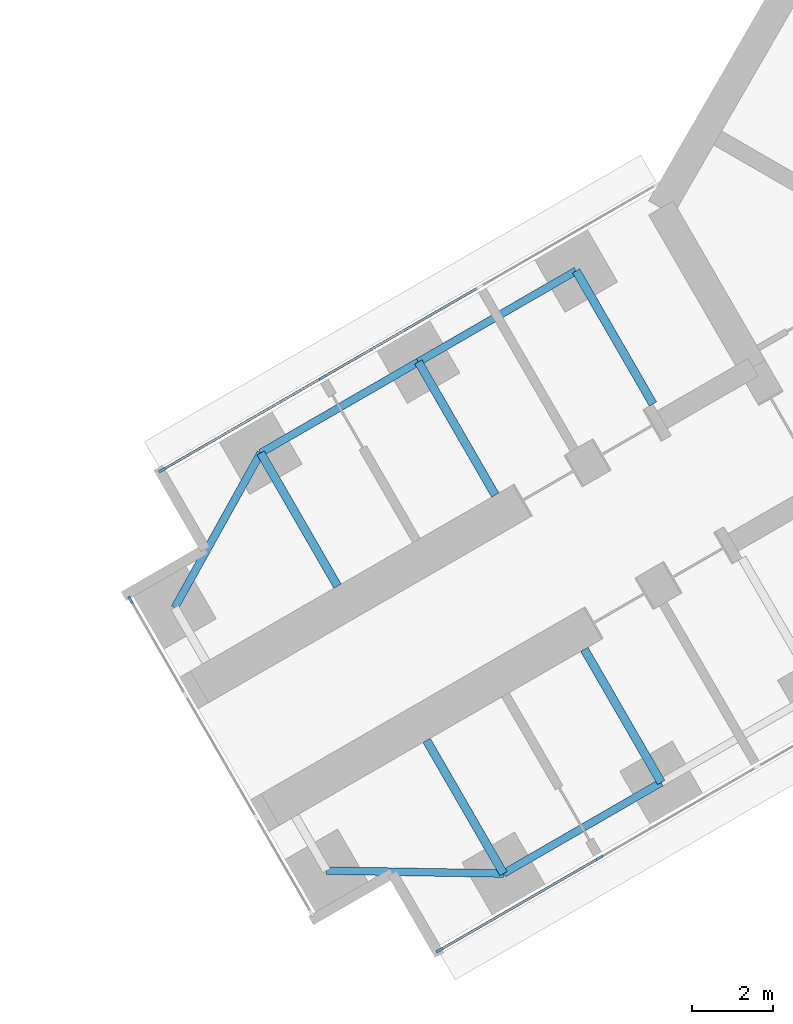
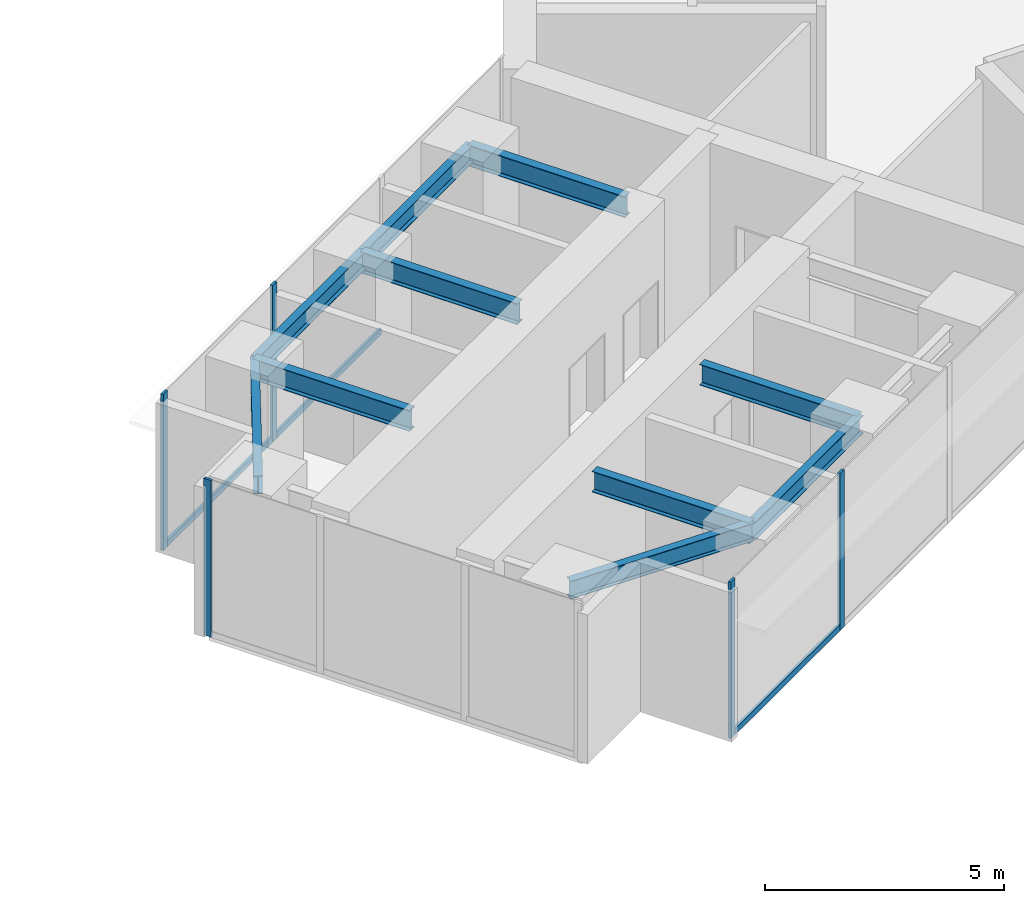
# One storey, part 4 of 22: 10 beams, 8 members, 3 elements without a shape of their own.
"""IFC4 building model written with IfcOpenShell, lengths in metres."""

from ifc_helpers import new_model, si_unit, direction, frame, origin, origin_2d, place, context, subcontext, project, spatial, rectangle, i_section, extrude, material, material_profile, profile_set, type_object, element, aggregate, save


model = new_model("IFC4")

# Units and contexts
model_context = context("Model", 3, precision=1e-05, world=origin(), true_north=direction((0.0, 1.0)))
body_context = subcontext(model_context, "Body", "Model", "MODEL_VIEW")
ifc_project = project(units=[si_unit("LENGTHUNIT", "METRE"), si_unit("AREAUNIT", "SQUARE_METRE"), si_unit("VOLUMEUNIT", "CUBIC_METRE"), si_unit("PLANEANGLEUNIT", "RADIAN"), si_unit("MASSUNIT", "GRAM", prefix="KILO")], contexts=[model_context])

# Site, building, storey
site_placement = place(None, origin())
site = spatial("IfcSite", under=ifc_project, at=site_placement, CompositionType="ELEMENT")
building_placement = place(site_placement, origin())
building = spatial("IfcBuilding", under=site, at=building_placement, Name="Upepo Twin Towers", CompositionType="ELEMENT")
storey_placement = place(building_placement, frame((0.0, 0.0, 44.5)))
storey = spatial("IfcBuildingStorey", under=building, at=storey_placement, Name="L10", CompositionType="ELEMENT", Elevation=44.5)

# Beams
ifc_material_1 = material(Name="Steel S355", Category="steel")
ifc_material_profile_1 = material_profile(ifc_material_1, i_section(OverallWidth=0.1904296875, OverallDepth=0.45703125, WebThickness=0.009033203125, FlangeThickness=0.014404296875, FilletRadius=0.01025390625, at=origin_2d()), Name="UB 457x191x74")
ifc_profile_set_1 = profile_set([ifc_material_profile_1], Name="Steel S355")
beam_type_1 = type_object("IfcBeamType", Name="Beam UB 457x191x74", PredefinedType="BEAM", material=ifc_profile_set_1)
beam_1_placement = place(storey_placement, frame((45.91162109375, -32.196044921875, 3.571533203125), z_axis=(-0.866031096941, -0.499990139034, 0.0), x_axis=(0.499990139034, -0.866031096941, 0.0)))
element("IfcBeam", 1, at=beam_1_placement, inside=storey, type_object=beam_type_1, Name="T2 edge beam BL 18.0-22.5", PredefinedType="BEAM", context=body_context, shape_type="SweptSolid", body=[
    extrude(i_section(OverallWidth=0.1904296875, OverallDepth=0.45703125, WebThickness=0.009033203125, FlangeThickness=0.014404296875, FilletRadius=0.01025390625, at=origin_2d()), origin(), (0.0, 0.0, 1.0), 4.5),
])
beam_2_placement = place(storey_placement, frame((42.014404296875, -34.446044921875, 3.571533203125), z_axis=(-0.999858804832, 0.016803880528, 0.0), x_axis=(-0.016803880528, -0.999858804832, 0.0)))
element("IfcBeam", 2, at=beam_2_placement, inside=storey, type_object=beam_type_1, Name="T2 nose edge beam BL", PredefinedType="BEAM", context=body_context, shape_type="SweptSolid", body=[
    extrude(i_section(OverallWidth=0.1904296875, OverallDepth=0.45703125, WebThickness=0.009033203125, FlangeThickness=0.014404296875, FilletRadius=0.01025390625, at=origin_2d()), origin(), (0.0, 0.0, 1.0), 4.373291015625),
])
beam_3_placement = place(storey_placement, frame((43.80859375, -19.553955078125, 3.571533203125), z_axis=(-0.866017533419, -0.500013631625, 0.0), x_axis=(0.500013631625, -0.866017533419, 0.0)))
element("IfcBeam", 3, at=beam_3_placement, inside=storey, type_object=beam_type_1, Name="T2 edge beam BR 13.5-18.0", PredefinedType="BEAM", context=body_context, shape_type="SweptSolid", body=[
    extrude(i_section(OverallWidth=0.1904296875, OverallDepth=0.45703125, WebThickness=0.009033203125, FlangeThickness=0.014404296875, FilletRadius=0.01025390625, at=origin_2d()), origin(), (0.0, 0.0, 1.0), 4.499755859375),
])
beam_4_placement = place(storey_placement, frame((39.91162109375, -21.803955078125, 3.571533203125), z_axis=(-0.866031096941, -0.499990139034, 0.0), x_axis=(0.499990139034, -0.866031096941, 0.0)))
element("IfcBeam", 4, at=beam_4_placement, inside=storey, type_object=beam_type_1, Name="T2 edge beam BR 18.0-22.5", PredefinedType="BEAM", context=body_context, shape_type="SweptSolid", body=[
    extrude(i_section(OverallWidth=0.1904296875, OverallDepth=0.45703125, WebThickness=0.009033203125, FlangeThickness=0.014404296875, FilletRadius=0.01025390625, at=origin_2d()), origin(), (0.0, 0.0, 1.0), 4.5),
])
beam_5_placement = place(storey_placement, frame((36.014404296875, -24.053955078125, 3.571533203125), z_axis=(-0.485363242752, -0.874312600038, 0.0), x_axis=(0.874312600038, -0.485363242752, 0.0)))
element("IfcBeam", 5, at=beam_5_placement, inside=storey, type_object=beam_type_1, Name="T2 nose edge beam BR", PredefinedType="BEAM", context=body_context, shape_type="SweptSolid", body=[
    extrude(i_section(OverallWidth=0.1904296875, OverallDepth=0.45703125, WebThickness=0.009033203125, FlangeThickness=0.014404296875, FilletRadius=0.01025390625, at=origin_2d()), origin(), (0.0, 0.0, 1.0), 4.373046875),
])
ifc_material_2 = material(Name="Steel S355", Category="steel")
ifc_material_profile_2 = material_profile(ifc_material_2, i_section(OverallWidth=0.209228515625, OverallDepth=0.533203125, WebThickness=0.010009765625, FlangeThickness=0.015625, FilletRadius=0.0126953125, at=origin_2d()), Name="UB 533x210x92")
ifc_profile_set_2 = profile_set([ifc_material_profile_2], Name="Steel S355")
beam_type_2 = type_object("IfcBeamType", Name="Beam UB 533x210x92", PredefinedType="BEAM", material=ifc_profile_set_2)
beam_6_placement = place(storey_placement, frame((45.91162109375, -32.196044921875, 3.533447265625), z_axis=(-0.500043160704, 0.866000483506, 0.0), x_axis=(-0.866000483506, -0.500043160704, 0.0)))
element("IfcBeam", 6, at=beam_6_placement, inside=storey, type_object=beam_type_2, Name="T2 girder BL at 18.0", PredefinedType="BEAM", context=body_context, shape_type="SweptSolid", body=[
    extrude(i_section(OverallWidth=0.209228515625, OverallDepth=0.533203125, WebThickness=0.010009765625, FlangeThickness=0.015625, FilletRadius=0.0126953125, at=origin_2d()), origin(), (0.0, 0.0, 1.0), 3.800048828125),
])
beam_7_placement = place(storey_placement, frame((42.014404296875, -34.446044921875, 3.533447265625), z_axis=(-0.499994975061, 0.866028304915, 0.0), x_axis=(-0.866028304915, -0.499994975061, 0.0)))
element("IfcBeam", 7, at=beam_7_placement, inside=storey, type_object=beam_type_2, Name="T2 girder BL at 22.5", PredefinedType="BEAM", context=body_context, shape_type="SweptSolid", body=[
    extrude(i_section(OverallWidth=0.209228515625, OverallDepth=0.533203125, WebThickness=0.010009765625, FlangeThickness=0.015625, FilletRadius=0.0126953125, at=origin_2d()), origin(), (0.0, 0.0, 1.0), 3.7998046875),
])
beam_8_placement = place(storey_placement, frame((43.80859375, -19.553955078125, 3.533447265625), z_axis=(0.500043160704, -0.866000483506, 0.0), x_axis=(0.866000483506, 0.500043160704, 0.0)))
element("IfcBeam", 8, at=beam_8_placement, inside=storey, type_object=beam_type_2, Name="T2 girder BR at 13.5", PredefinedType="BEAM", context=body_context, shape_type="SweptSolid", body=[
    extrude(i_section(OverallWidth=0.209228515625, OverallDepth=0.533203125, WebThickness=0.010009765625, FlangeThickness=0.015625, FilletRadius=0.0126953125, at=origin_2d()), origin(), (0.0, 0.0, 1.0), 3.800048828125),
])
for number, where, z_axis, x_axis, name in (
    (9, (39.91162109375, -21.803955078125, 3.533447265625), (0.499994975061, -0.866028304915, 0.0), (0.866028304915, 0.499994975061, 0.0), "T2 girder BR at 18.0"),
    (10, (36.014404296875, -24.053955078125, 3.533447265625), (0.499994975061, -0.866028304915, 0.0), (0.866028304915, 0.499994975061, 0.0), "T2 girder BR at 22.5"),
):
    element("IfcBeam", number, at=place(storey_placement, frame(where, z_axis=z_axis, x_axis=x_axis)), inside=storey, type_object=beam_type_2, Name=name, PredefinedType="BEAM", context=body_context, shape_type="SweptSolid", body=[
        extrude(i_section(OverallWidth=0.209228515625, OverallDepth=0.533203125, WebThickness=0.010009765625, FlangeThickness=0.015625, FilletRadius=0.0126953125, at=origin_2d()), origin(), (0.0, 0.0, 1.0), 3.7998046875),
    ])

# Curtain wall, members
ifc_material_3 = material(Name="Aluminium and fritted glass", Category="aluminium")
curtain_wall_type = type_object("IfcCurtainWallType", Name="Tower curtain wall TW1, fritted glass", PredefinedType="NOTDEFINED", material=ifc_material_3)
curtain_wall_1_placement = place(storey_placement, origin())
curtain_wall_1 = element("IfcCurtainWall", 11, at=curtain_wall_1_placement, inside=storey, type_object=curtain_wall_type, Name="T2 L10 wing B flank L curtain wall", PredefinedType="NOTDEFINED")
ifc_material_4 = material(Name="Aluminium mullion", Category="aluminium")
ifc_material_profile_3 = material_profile(ifc_material_4, rectangle(XDim=0.06494140625, YDim=0.179931640625, at=origin_2d()), Name="MULLION 65x180")
ifc_profile_set_3 = profile_set([ifc_material_profile_3], Name="Aluminium mullion")
member_type_1 = type_object("IfcMemberType", Name="Mullion 65x180 TW1", PredefinedType="MULLION", material=ifc_profile_set_3)
member_1_placement = place(storey_placement, frame((44.387939453125, -34.057373046875, 0.0), z_axis=(0.0, 0.0, 1.0), x_axis=(0.500000024426, -0.866025389682, 0.0)))
member_1 = element("IfcMember", 12, at=member_1_placement, type_object=member_type_1, Name="T2 L10 wing B flank L curtain wall mullion 3", PredefinedType="MULLION", context=body_context, shape_type="SweptSolid", body=[
    extrude(rectangle(XDim=0.06494140625, YDim=0.179931640625, at=origin_2d()), origin(), (0.0, 0.0, 1.0), 4.0),
])
member_2_placement = place(storey_placement, frame((40.432373046875, -36.341064453125, 0.0), z_axis=(0.0, 0.0, 1.0), x_axis=(0.500000024426, -0.866025389682, 0.0)))
member_2 = element("IfcMember", 13, at=member_2_placement, type_object=member_type_1, Name="T2 L10 wing B flank L curtain wall mullion 4", PredefinedType="MULLION", context=body_context, shape_type="SweptSolid", body=[
    extrude(rectangle(XDim=0.06494140625, YDim=0.179931640625, at=origin_2d()), origin(), (0.0, 0.0, 1.0), 4.0),
])

curtain_wall_2_placement = place(storey_placement, origin())
curtain_wall_2 = element("IfcCurtainWall", 14, at=curtain_wall_2_placement, inside=storey, type_object=curtain_wall_type, Name="T2 L10 wing B flank R curtain wall", PredefinedType="NOTDEFINED")
member_3_placement = place(storey_placement, frame((33.58251953125, -24.4765625, 0.0), z_axis=(0.0, 0.0, 1.0), x_axis=(-0.500000024426, 0.866025389682, 0.0)))
member_3 = element("IfcMember", 15, at=member_3_placement, type_object=member_type_1, Name="T2 L10 wing B flank R curtain wall mullion 1", PredefinedType="MULLION", context=body_context, shape_type="SweptSolid", body=[
    extrude(rectangle(XDim=0.06494140625, YDim=0.179931640625, at=origin_2d()), origin(), (0.0, 0.0, 1.0), 4.0),
])
member_4_placement = place(storey_placement, frame((37.5380859375, -22.192626953125, 0.0), z_axis=(0.0, 0.0, 1.0), x_axis=(-0.500000024426, 0.866025389682, 0.0)))
member_4 = element("IfcMember", 16, at=member_4_placement, type_object=member_type_1, Name="T2 L10 wing B flank R curtain wall mullion 2", PredefinedType="MULLION", context=body_context, shape_type="SweptSolid", body=[
    extrude(rectangle(XDim=0.06494140625, YDim=0.179931640625, at=origin_2d()), origin(), (0.0, 0.0, 1.0), 4.0),
])

# Curtain wall, member
curtain_wall_3_placement = place(storey_placement, origin())
curtain_wall_3 = element("IfcCurtainWall", 17, at=curtain_wall_3_placement, inside=storey, type_object=curtain_wall_type, Name="T2 L10 wing B nose curtain wall", PredefinedType="NOTDEFINED")
member_5_placement = place(storey_placement, frame((32.796875, -27.68115234375, 0.0), z_axis=(0.0, 0.0, 1.0), x_axis=(0.866025386174, 0.500000030502, 0.0)))
member_5 = element("IfcMember", 18, at=member_5_placement, type_object=member_type_1, Name="T2 L10 wing B nose curtain wall mullion 1", PredefinedType="MULLION", context=body_context, shape_type="SweptSolid", body=[
    extrude(rectangle(XDim=0.06494140625, YDim=0.179931640625, at=origin_2d()), origin(), (0.0, 0.0, 1.0), 4.0),
])
aggregate(curtain_wall_3, [member_5])

# Member
ifc_material_5 = material(Name="Aluminium transom", Category="aluminium")
ifc_material_profile_4 = material_profile(ifc_material_5, rectangle(XDim=0.06494140625, YDim=0.14990234375, at=origin_2d()), Name="TRANSOM 65x150")
ifc_profile_set_4 = profile_set([ifc_material_profile_4], Name="Aluminium transom")
member_type_2 = type_object("IfcMemberType", Name="Transom 65x150 TW1", PredefinedType="USERDEFINED", material=ifc_profile_set_4)
member_6_placement = place(storey_placement, frame((44.35986328125, -34.073486328125, 0.074951171875), z_axis=(-0.866035699072, -0.499982167615, 0.0), x_axis=(0.499982167615, -0.866035699072, 0.0)))
member_6 = element("IfcMember", 19, at=member_6_placement, type_object=member_type_2, Name="T2 L10 wing B flank L curtain wall transom 3", ObjectType="TRANSOM", PredefinedType="USERDEFINED", context=body_context, shape_type="SweptSolid", body=[
    extrude(rectangle(XDim=0.06494140625, YDim=0.14990234375, at=origin_2d()), origin(), (0.0, 0.0, 1.0), 4.502685546875),
])

aggregate(curtain_wall_1, [member_1, member_2, member_6])

member_7_placement = place(storey_placement, frame((33.610595703125, -24.460205078125, 0.074951171875), z_axis=(0.866022143554, 0.500005646842, 0.0), x_axis=(-0.500005646842, 0.866022143554, 0.0)))
member_7 = element("IfcMember", 20, at=member_7_placement, type_object=member_type_2, Name="T2 L10 wing B flank R curtain wall transom 1", ObjectType="TRANSOM", PredefinedType="USERDEFINED", context=body_context, shape_type="SweptSolid", body=[
    extrude(rectangle(XDim=0.06494140625, YDim=0.14990234375, at=origin_2d()), origin(), (0.0, 0.0, 1.0), 4.50244140625),
])

member_8_placement = place(storey_placement, frame((37.566162109375, -22.176513671875, 0.074951171875), z_axis=(0.866022410713, 0.500005184116, 0.0), x_axis=(-0.500005184116, 0.866022410713, 0.0)))
member_8 = element("IfcMember", 21, at=member_8_placement, type_object=member_type_2, Name="T2 L10 wing B flank R curtain wall transom 2", ObjectType="TRANSOM", PredefinedType="USERDEFINED", context=body_context, shape_type="SweptSolid", body=[
    extrude(rectangle(XDim=0.06494140625, YDim=0.14990234375, at=origin_2d()), origin(), (0.0, 0.0, 1.0), 4.43505859375),
])

aggregate(curtain_wall_2, [member_3, member_4, member_7, member_8])

save(model, "model.ifc")
